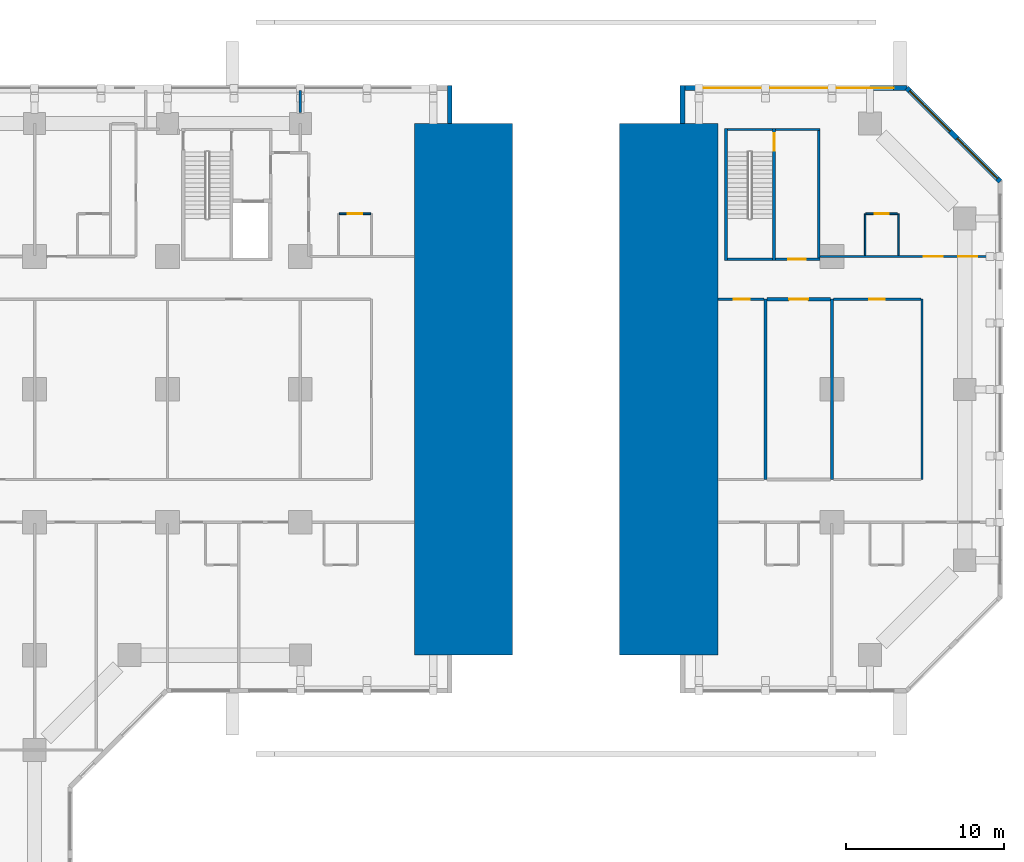
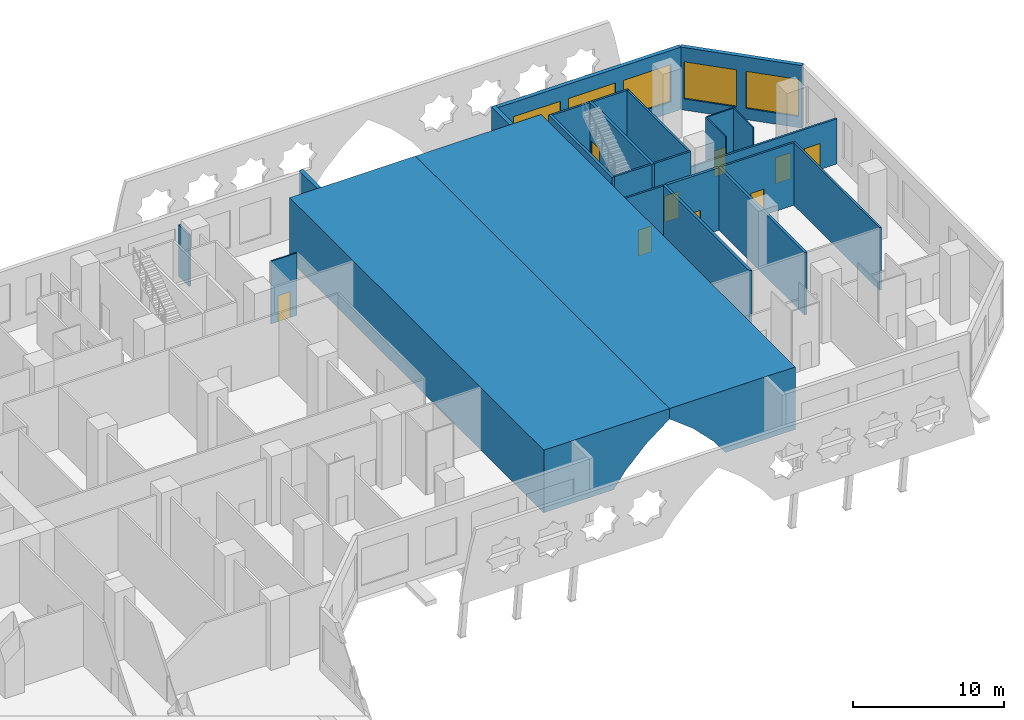
# One storey, part 13 of 24: 25 walls, 9 doors, 5 windows, 14 openings.
"""IFC4 building model written with IfcOpenShell, lengths in metres."""

from ifc_helpers import new_model, si_unit, direction, frame, frame_2d, origin, place, context, subcontext, project, spatial, polyline, rectangle, outline, extrude, material, layer, layer_set, type_object, element, fill, save


model = new_model("IFC4")

# Units and contexts
model_context = context("Model", 3, precision=1e-05, world=origin(), true_north=direction((0.0, 1.0)))
body_context = subcontext(model_context, "Body", "Model", "MODEL_VIEW")
ifc_project = project(units=[si_unit("LENGTHUNIT", "METRE"), si_unit("AREAUNIT", "SQUARE_METRE"), si_unit("VOLUMEUNIT", "CUBIC_METRE"), si_unit("PLANEANGLEUNIT", "RADIAN"), si_unit("MASSUNIT", "GRAM", prefix="KILO")], contexts=[model_context])

# Site, building, storey
site_placement = place(None, origin())
site = spatial("IfcSite", under=ifc_project, at=site_placement, CompositionType="ELEMENT")
building_placement = place(site_placement, origin())
building = spatial("IfcBuilding", under=site, at=building_placement, Name="Kawkab Arch Medical Tower", CompositionType="ELEMENT")
storey_placement = place(building_placement, frame((0.0, 0.0, 18.199951171875)))
storey = spatial("IfcBuildingStorey", under=building, at=storey_placement, Name="L04", CompositionType="ELEMENT", Elevation=18.199951171875)

# Walls
ifc_material_1 = material(Name="Concrete C60/75", Category="concrete")
wall_type_1 = type_object("IfcWallType", Name="Arch wall C60/75", PredefinedType="SHEAR", material=ifc_material_1)
placement = place(storey_placement, frame((0.0, 0.0, -18.199951171875), z_axis=(0.0, -1.0, 0.0), x_axis=(1.0, 0.0, 0.0)))
element("IfcWall", 1, at=placement, inside=storey, type_object=wall_type_1, Name="Arch wall L04-1", PredefinedType="SHEAR", context=body_context, shape_type="SweptSolid", body=[
    extrude(outline(polyline([(67.199951171875, 23.25), (67.199951171875, 22.39990234375), (65.406005859375, 21.02197265625), (63.823974609375, 19.406005859375), (62.9375, 18.199951171875), (57.60009765625, 18.199951171875), (57.60009765625, 23.25), (67.199951171875, 23.25)])), origin(), (0.0, 0.0, 1.0), 33.60009765625),
])
element("IfcWall", 2, at=placement, inside=storey, type_object=wall_type_1, Name="Arch wall L04-2", PredefinedType="SHEAR", context=body_context, shape_type="SweptSolid", body=[
    extrude(outline(polyline([(76.800048828125, 23.25), (76.800048828125, 18.199951171875), (71.46240234375, 18.199951171875), (70.575927734375, 19.406005859375), (68.993896484375, 21.02197265625), (67.199951171875, 22.39990234375), (67.199951171875, 23.25), (76.800048828125, 23.25)])), origin(), (0.0, 0.0, 1.0), 33.60009765625),
])
ifc_material_2 = material(Name="Gypsum board on steel studs", Category="steel")
ifc_layer_1 = layer(ifc_material_2, 0.14990234375)
ifc_layer_set_1 = layer_set([ifc_layer_1], Name="Gypsum board on steel studs")
wall_type_2 = type_object("IfcWallType", Name="Core room partition 150", PredefinedType="PARTITIONING", material=ifc_layer_set_1)
wall_3_placement = place(storey_placement, frame((80.449951171875, -0.375, 0.0), z_axis=(0.0, 0.0, 1.0), x_axis=(1.0, 0.0, 0.0)))
element("IfcWall", 3, at=wall_3_placement, inside=storey, type_object=wall_type_2, Name="L04 core room partition", PredefinedType="PARTITIONING", context=body_context, shape_type="SweptSolid", body=[
    extrude(rectangle(XDim=2.800048828125, YDim=0.14990234375, at=frame_2d((1.39990234375, 0.0))), origin(), (0.0, 0.0, 1.0), 5.050048828125),
])
wall_4_placement = place(storey_placement, frame((83.175048828125, -8.5, 0.0), z_axis=(0.0, 0.0, 1.0), x_axis=(0.0, 1.0, 0.0)))
element("IfcWall", 4, at=wall_4_placement, inside=storey, type_object=wall_type_2, Name="L04 core room partition", PredefinedType="PARTITIONING", context=body_context, shape_type="SweptSolid", body=[
    extrude(rectangle(XDim=8.050048828125, YDim=0.14990234375, at=frame_2d((4.02490234375, 0.0))), origin(), (0.0, 0.0, 1.0), 5.050048828125),
])

# Wall, opening, door
ifc_material_3 = material(Name="Gypsum board partition on steel studs", Category="steel")
ifc_layer_2 = layer(ifc_material_3, 0.10009765625)
ifc_layer_set_2 = layer_set([ifc_layer_2], Name="Gypsum board partition on steel studs")
wall_type_3 = type_object("IfcWallType", Name="Partition 100", PredefinedType="PARTITIONING", material=ifc_layer_set_2)
wall_5_placement = place(storey_placement, frame((52.87109375, -5.699951171875, 0.0), z_axis=(0.0, 0.0, 1.0), x_axis=(1.0, 0.0, 0.0)))
wall_5 = element("IfcWall", 5, at=wall_5_placement, inside=storey, type_object=wall_type_3, Name="Partition 100 w020", PredefinedType="PARTITIONING", context=body_context, shape_type="SweptSolid", body=[
    extrude(rectangle(XDim=1.976806640625, YDim=0.10009765625, at=frame_2d((0.98828125, 0.0))), origin(), (0.0, 0.0, 1.0), 5.050048828125),
])
opening_1_placement = place(wall_5_placement, frame((0.5380859375, 0.0, 0.0)))
opening_1 = element("IfcOpeningElement", 6, at=opening_1_placement, cuts=wall_5, Name="Opening P04-002", PredefinedType="OPENING", context=body_context, shape_type="SweptSolid", body=[
    extrude(rectangle(XDim=0.89990234375, YDim=2.10009765625, at=frame_2d((0.449951171875, 1.050048828125))), frame((0.0, 0.06005859375, 0.0), z_axis=(0.0, -1.0, 0.0), x_axis=(1.0, 0.0, 0.0)), (0.0, 0.0, 1.0), 0.1201171875),
])
ifc_material_4 = material(Name="Timber door leaf", Category="wood")
door_type_1 = type_object("IfcDoorType", Name="Single door 900x2100", OperationType="NOTDEFINED", PredefinedType="DOOR", material=ifc_material_4)
door_1_placement = place(opening_1_placement, origin())
door_1 = element("IfcDoor", 7, at=door_1_placement, inside=storey, type_object=door_type_1, Name="Door P04-002", OperationType="SINGLE_SWING_RIGHT", OverallHeight=2.10009765625, OverallWidth=0.89990234375, PredefinedType="DOOR", context=body_context, shape_type="SweptSolid", body=[
    extrude(rectangle(XDim=0.89990234375, YDim=2.10009765625, at=frame_2d((0.449951171875, 1.050048828125))), frame((0.0, 0.02490234375, 0.0), z_axis=(0.0, -1.0, 0.0), x_axis=(1.0, 0.0, 0.0)), (0.0, 0.0, 1.0), 0.050048828125),
])
fill(opening_1, door_1)

wall_6_placement = place(storey_placement, frame((86.152099609375, -5.699951171875, 0.0), z_axis=(0.0, 0.0, 1.0), x_axis=(1.0, 0.0, 0.0)))
wall_6 = element("IfcWall", 8, at=wall_6_placement, inside=storey, type_object=wall_type_3, Name="Partition 100 w021", PredefinedType="PARTITIONING", context=body_context, shape_type="SweptSolid", body=[
    extrude(rectangle(XDim=1.994873046875, YDim=0.10009765625, at=frame_2d((0.99755859375, 0.0))), origin(), (0.0, 0.0, 1.0), 5.050048828125),
])
opening_2_placement = place(wall_6_placement, frame((0.547119140625, 0.0, 0.0)))
opening_2 = element("IfcOpeningElement", 9, at=opening_2_placement, cuts=wall_6, Name="Opening P04-003", PredefinedType="OPENING", context=body_context, shape_type="SweptSolid", body=[
    extrude(rectangle(XDim=0.89990234375, YDim=2.10009765625, at=frame_2d((0.449951171875, 1.050048828125))), frame((0.0, 0.06005859375, 0.0), z_axis=(0.0, -1.0, 0.0), x_axis=(1.0, 0.0, 0.0)), (0.0, 0.0, 1.0), 0.1201171875),
])
door_2_placement = place(opening_2_placement, origin())
door_2 = element("IfcDoor", 10, at=door_2_placement, inside=storey, type_object=door_type_1, Name="Door P04-003", OperationType="SINGLE_SWING_LEFT", OverallHeight=2.10009765625, OverallWidth=0.89990234375, PredefinedType="DOOR", context=body_context, shape_type="SweptSolid", body=[
    extrude(rectangle(XDim=0.89990234375, YDim=2.10009765625, at=frame_2d((0.449951171875, 1.050048828125))), frame((0.0, 0.02490234375, 0.0), z_axis=(0.0, -1.0, 0.0), x_axis=(1.0, 0.0, 0.0)), (0.0, 0.0, 1.0), 0.050048828125),
])
fill(opening_2, door_2)

# Walls
wall_7_placement = place(storey_placement, frame((86.10009765625, -8.324951171875, 0.0), z_axis=(0.0, 0.0, 1.0), x_axis=(0.0, 1.0, 0.0)))
element("IfcWall", 11, at=wall_7_placement, inside=storey, type_object=wall_type_3, Name="Partition 100 w038", PredefinedType="PARTITIONING", context=body_context, shape_type="SweptSolid", body=[
    extrude(rectangle(XDim=2.6240234375, YDim=0.10009765625, at=frame_2d((1.31201171875, 0.0))), origin(), (0.0, 0.0, 1.0), 5.050048828125),
])
wall_8_placement = place(storey_placement, frame((88.199951171875, -8.324951171875, 0.0), z_axis=(0.0, 0.0, 1.0), x_axis=(0.0, 1.0, 0.0)))
element("IfcWall", 12, at=wall_8_placement, inside=storey, type_object=wall_type_3, Name="Partition 100 w040", PredefinedType="PARTITIONING", context=body_context, shape_type="SweptSolid", body=[
    extrude(rectangle(XDim=2.6220703125, YDim=0.10009765625, at=frame_2d((1.31103515625, 0.0))), origin(), (0.0, 0.0, 1.0), 5.050048828125),
])

# Wall, opening, door
ifc_material_5 = material(Name="Gypsum board partition on steel studs, mineral wool", Category="steel")
ifc_layer_3 = layer(ifc_material_5, 0.14990234375)
ifc_layer_set_3 = layer_set([ifc_layer_3], Name="Gypsum board partition on steel studs, mineral wool")
wall_type_4 = type_object("IfcWallType", Name="Partition 150", PredefinedType="PARTITIONING", material=ifc_layer_set_3)
wall_9_placement = place(storey_placement, frame((76.800048828125, -11.10009765625, 0.0), z_axis=(0.0, 0.0, 1.0), x_axis=(1.0, 0.0, 0.0)))
wall_9 = element("IfcWall", 13, at=wall_9_placement, inside=storey, type_object=wall_type_4, Name="Partition 150 w078", PredefinedType="PARTITIONING", context=body_context, shape_type="SweptSolid", body=[
    extrude(rectangle(XDim=2.89990234375, YDim=0.14990234375, at=frame_2d((1.449951171875, 0.0))), origin(), (0.0, 0.0, 1.0), 5.050048828125),
])
opening_3_placement = place(wall_9_placement, frame((1.0, 0.0, 0.0)))
opening_3 = element("IfcOpeningElement", 14, at=opening_3_placement, cuts=wall_9, Name="Opening P04-025", PredefinedType="OPENING", context=body_context, shape_type="SweptSolid", body=[
    extrude(rectangle(XDim=1.0, YDim=2.10009765625, at=frame_2d((0.5, 1.050048828125))), frame((0.0, 0.0849609375, 0.0), z_axis=(0.0, -1.0, 0.0), x_axis=(1.0, 0.0, 0.0)), (0.0, 0.0, 1.0), 0.169921875),
])
ifc_material_6 = material(Name="Hollow metal door leaf")
door_type_2 = type_object("IfcDoorType", Name="Single door 1000x2100 FD30S", OperationType="NOTDEFINED", PredefinedType="DOOR", material=ifc_material_6)
door_3_placement = place(opening_3_placement, origin())
door_3 = element("IfcDoor", 15, at=door_3_placement, inside=storey, type_object=door_type_2, Name="Door P04-025", OperationType="SINGLE_SWING_RIGHT", OverallHeight=2.10009765625, OverallWidth=1.0, PredefinedType="DOOR", context=body_context, shape_type="SweptSolid", body=[
    extrude(rectangle(XDim=1.0, YDim=2.10009765625, at=frame_2d((0.5, 1.050048828125))), frame((0.0, 0.02490234375, 0.0), z_axis=(0.0, -1.0, 0.0), x_axis=(1.0, 0.0, 0.0)), (0.0, 0.0, 1.0), 0.050048828125),
])
fill(opening_3, door_3)

wall_10_placement = place(storey_placement, frame((84.10009765625, -11.10009765625, 0.0), z_axis=(0.0, 0.0, 1.0), x_axis=(1.0, 0.0, 0.0)))
wall_10 = element("IfcWall", 16, at=wall_10_placement, inside=storey, type_object=wall_type_4, Name="Partition 150 w079", PredefinedType="PARTITIONING", context=body_context, shape_type="SweptSolid", body=[
    extrude(rectangle(XDim=5.52490234375, YDim=0.14990234375, at=frame_2d((2.762451171875, 0.0))), origin(), (0.0, 0.0, 1.0), 5.050048828125),
])
opening_4_placement = place(wall_10_placement, frame((2.25, 0.0, 0.0)))
opening_4 = element("IfcOpeningElement", 17, at=opening_4_placement, cuts=wall_10, Name="Opening P04-026", PredefinedType="OPENING", context=body_context, shape_type="SweptSolid", body=[
    extrude(rectangle(XDim=1.0, YDim=2.10009765625, at=frame_2d((0.5, 1.050048828125))), frame((0.0, 0.0849609375, 0.0), z_axis=(0.0, -1.0, 0.0), x_axis=(1.0, 0.0, 0.0)), (0.0, 0.0, 1.0), 0.169921875),
])
door_4_placement = place(opening_4_placement, origin())
door_4 = element("IfcDoor", 18, at=door_4_placement, inside=storey, type_object=door_type_2, Name="Door P04-026", OperationType="SINGLE_SWING_RIGHT", OverallHeight=2.10009765625, OverallWidth=1.0, PredefinedType="DOOR", context=body_context, shape_type="SweptSolid", body=[
    extrude(rectangle(XDim=1.0, YDim=2.10009765625, at=frame_2d((0.5, 1.050048828125))), frame((0.0, 0.02490234375, 0.0), z_axis=(0.0, -1.0, 0.0), x_axis=(1.0, 0.0, 0.0)), (0.0, 0.0, 1.0), 0.050048828125),
])
fill(opening_4, door_4)

# Wall, openings, doors
wall_11_placement = place(storey_placement, frame((83.25, -8.39990234375, 0.0), z_axis=(0.0, 0.0, 1.0), x_axis=(1.0, 0.0, 0.0)))
wall_11 = element("IfcWall", 19, at=wall_11_placement, inside=storey, type_object=wall_type_4, Name="Partition 150 w082", PredefinedType="PARTITIONING", context=body_context, shape_type="SweptSolid", body=[
    extrude(rectangle(XDim=11.22998046875, YDim=0.14990234375, at=frame_2d((5.614990234375, 0.0))), origin(), (0.0, 0.0, 1.0), 3.650146484375),
])
opening_5_placement = place(wall_11_placement, frame((6.550048828125, 0.0, 0.0)))
opening_5 = element("IfcOpeningElement", 20, at=opening_5_placement, cuts=wall_11, Name="Opening P04-043", PredefinedType="OPENING", context=body_context, shape_type="SweptSolid", body=[
    extrude(rectangle(XDim=1.199951171875, YDim=2.10009765625, at=frame_2d((0.60009765625, 1.050048828125))), frame((0.0, 0.0849609375, 0.0), z_axis=(0.0, -1.0, 0.0), x_axis=(1.0, 0.0, 0.0)), (0.0, 0.0, 1.0), 0.169921875),
])
opening_6_placement = place(wall_11_placement, frame((8.75, 0.0, 0.0)))
opening_6 = element("IfcOpeningElement", 21, at=opening_6_placement, cuts=wall_11, Name="Opening P04-044", PredefinedType="OPENING", context=body_context, shape_type="SweptSolid", body=[
    extrude(rectangle(XDim=1.199951171875, YDim=2.10009765625, at=frame_2d((0.60009765625, 1.050048828125))), frame((0.0, 0.0849609375, 0.0), z_axis=(0.0, -1.0, 0.0), x_axis=(1.0, 0.0, 0.0)), (0.0, 0.0, 1.0), 0.169921875),
])
ifc_material_7 = material(Name="Hollow metal door leaf")
door_type_3 = type_object("IfcDoorType", Name="Single door 1200x2100 FD30S", OperationType="NOTDEFINED", PredefinedType="DOOR", material=ifc_material_7)
door_5_placement = place(opening_5_placement, origin())
door_5 = element("IfcDoor", 22, at=door_5_placement, inside=storey, type_object=door_type_3, Name="Door P04-043", OperationType="SINGLE_SWING_RIGHT", OverallHeight=2.10009765625, OverallWidth=1.199951171875, PredefinedType="DOOR", context=body_context, shape_type="SweptSolid", body=[
    extrude(rectangle(XDim=1.199951171875, YDim=2.10009765625, at=frame_2d((0.60009765625, 1.050048828125))), frame((0.0, 0.02490234375, 0.0), z_axis=(0.0, -1.0, 0.0), x_axis=(1.0, 0.0, 0.0)), (0.0, 0.0, 1.0), 0.050048828125),
])
fill(opening_5, door_5)
door_6_placement = place(opening_6_placement, origin())
door_6 = element("IfcDoor", 23, at=door_6_placement, inside=storey, type_object=door_type_3, Name="Door P04-044", OperationType="SINGLE_SWING_RIGHT", OverallHeight=2.10009765625, OverallWidth=1.199951171875, PredefinedType="DOOR", context=body_context, shape_type="SweptSolid", body=[
    extrude(rectangle(XDim=1.199951171875, YDim=2.10009765625, at=frame_2d((0.60009765625, 1.050048828125))), frame((0.0, 0.02490234375, 0.0), z_axis=(0.0, -1.0, 0.0), x_axis=(1.0, 0.0, 0.0)), (0.0, 0.0, 1.0), 0.050048828125),
])
fill(opening_6, door_6)

# Walls
wall_12_placement = place(storey_placement, frame((50.39990234375, 0.699951171875, 0.0), z_axis=(0.0, 0.0, 1.0), x_axis=(0.0, 1.0, 0.0)))
element("IfcWall", 24, at=wall_12_placement, inside=storey, type_object=wall_type_4, Name="Partition 150 w117", PredefinedType="PARTITIONING", context=body_context, shape_type="SweptSolid", body=[
    extrude(rectangle(XDim=1.380126953125, YDim=0.14990234375, at=frame_2d((0.68994140625, 0.0))), origin(), (0.0, 0.0, 1.0), 4.150146484375),
])
wall_13_placement = place(storey_placement, frame((89.699951171875, -22.5, 0.0), z_axis=(0.0, 0.0, 1.0), x_axis=(0.0, 1.0, 0.0)))
element("IfcWall", 25, at=wall_13_placement, inside=storey, type_object=wall_type_4, Name="Partition 150 w121", PredefinedType="PARTITIONING", context=body_context, shape_type="SweptSolid", body=[
    extrude(rectangle(XDim=11.39990234375, YDim=0.14990234375, at=frame_2d((5.699951171875, 0.0))), origin(), (0.0, 0.0, 1.0), 5.050048828125),
])
ifc_material_8 = material(Name="Bronze clad insulated wall panel")
ifc_layer_4 = layer(ifc_material_8, 0.300048828125)
ifc_layer_set_4 = layer_set([ifc_layer_4], Name="Bronze clad insulated wall panel")
wall_type_5 = type_object("IfcWallType", Name="Podium external wall 300", PredefinedType="SOLIDWALL", material=ifc_layer_set_4)
wall_14_placement = place(storey_placement, frame((59.85009765625, 0.0, 0.0), z_axis=(0.0, 0.0, 1.0), x_axis=(0.0, 1.0, 0.0)))
element("IfcWall", 26, at=wall_14_placement, inside=storey, type_object=wall_type_5, Name="Podium slot-side wall L04 R04.2", PredefinedType="SOLIDWALL", context=body_context, shape_type="SweptSolid", body=[
    extrude(rectangle(XDim=2.39990234375, YDim=0.300048828125, at=frame_2d((1.199951171875, 0.0))), origin(), (0.0, 0.0, 1.0), 5.050048828125),
])

# Wall, openings, windows
wall_15_placement = place(storey_placement, frame((94.64990234375, -3.662109375, 0.0), z_axis=(0.0, 0.0, 1.0), x_axis=(-0.707106781187, 0.707106781187, 0.0)))
wall_15 = element("IfcWall", 27, at=wall_15_placement, inside=storey, type_object=wall_type_5, Name="Podium external wall L04 R12", PredefinedType="SOLIDWALL", context=body_context, shape_type="SweptSolid", body=[
    extrude(rectangle(XDim=8.361083984375, YDim=0.300048828125, at=frame_2d((4.1806640625, 0.0))), origin(), (0.0, 0.0, 1.0), 5.050048828125),
])
opening_7_placement = place(wall_15_placement, frame((0.259033203125, 0.0, 0.89990234375)))
opening_7 = element("IfcOpeningElement", 28, at=opening_7_placement, cuts=wall_15, Name="Opening PBW360-30-S9", PredefinedType="OPENING", context=body_context, shape_type="SweptSolid", body=[
    extrude(rectangle(XDim=3.60009765625, YDim=3.0, at=frame_2d((1.800048828125, 1.5))), frame((0.0, 0.159912109375, 0.0), z_axis=(0.0, -1.0, 0.0), x_axis=(1.0, 0.0, 0.0)), (0.0, 0.0, 1.0), 0.320068359375),
])
opening_8_placement = place(wall_15_placement, frame((4.501708984375, 0.0, 0.89990234375)))
opening_8 = element("IfcOpeningElement", 29, at=opening_8_placement, cuts=wall_15, Name="Opening PBW360-30-S9", PredefinedType="OPENING", context=body_context, shape_type="SweptSolid", body=[
    extrude(rectangle(XDim=3.60009765625, YDim=3.0, at=frame_2d((1.800048828125, 1.5))), frame((0.0, 0.159912109375, 0.0), z_axis=(0.0, -1.0, 0.0), x_axis=(1.0, 0.0, 0.0)), (0.0, 0.0, 1.0), 0.320068359375),
])
ifc_material_9 = material(Name="Bronze anodised aluminium louvred window", Category="aluminium")
window_type = type_object("IfcWindowType", Name="Podium band window 3600 x 3000 sill 900", PartitioningType="DOUBLE_PANEL_VERTICAL", PredefinedType="WINDOW", material=ifc_material_9)
window_1_placement = place(opening_7_placement, origin())
window_1 = element("IfcWindow", 30, at=window_1_placement, inside=storey, type_object=window_type, Name="Band window L04 R12.1", OverallHeight=3.0, OverallWidth=3.60009765625, PartitioningType="SINGLE_PANEL", PredefinedType="WINDOW", context=body_context, shape_type="SweptSolid", body=[
    extrude(rectangle(XDim=3.60009765625, YDim=3.0, at=frame_2d((1.800048828125, 1.5))), frame((0.0, 0.030029296875, 0.0), z_axis=(0.0, -1.0, 0.0), x_axis=(1.0, 0.0, 0.0)), (0.0, 0.0, 1.0), 0.06005859375),
])
fill(opening_7, window_1)
window_2_placement = place(opening_8_placement, origin())
window_2 = element("IfcWindow", 31, at=window_2_placement, inside=storey, type_object=window_type, Name="Band window L04 R12.2", OverallHeight=3.0, OverallWidth=3.60009765625, PartitioningType="SINGLE_PANEL", PredefinedType="WINDOW", context=body_context, shape_type="SweptSolid", body=[
    extrude(rectangle(XDim=3.60009765625, YDim=3.0, at=frame_2d((1.800048828125, 1.5))), frame((0.0, 0.030029296875, 0.0), z_axis=(0.0, -1.0, 0.0), x_axis=(1.0, 0.0, 0.0)), (0.0, 0.0, 1.0), 0.06005859375),
])
fill(opening_8, window_2)

wall_16_placement = place(storey_placement, frame((88.73779296875, 2.25, 0.0), z_axis=(0.0, 0.0, 1.0), x_axis=(-1.0, 0.0, 0.0)))
wall_16 = element("IfcWall", 32, at=wall_16_placement, inside=storey, type_object=wall_type_5, Name="Podium external wall L04 R13", PredefinedType="SOLIDWALL", context=body_context, shape_type="SweptSolid", body=[
    extrude(rectangle(XDim=14.187744140625, YDim=0.300048828125, at=frame_2d((7.09375, 0.0))), origin(), (0.0, 0.0, 1.0), 5.050048828125),
])
opening_9_placement = place(wall_16_placement, frame((0.837890625, 0.0, 0.89990234375)))
opening_9 = element("IfcOpeningElement", 33, at=opening_9_placement, cuts=wall_16, Name="Opening PBW360-30-S9", PredefinedType="OPENING", context=body_context, shape_type="SweptSolid", body=[
    extrude(rectangle(XDim=3.60009765625, YDim=3.0, at=frame_2d((1.800048828125, 1.5))), frame((0.0, 0.159912109375, 0.0), z_axis=(0.0, -1.0, 0.0), x_axis=(1.0, 0.0, 0.0)), (0.0, 0.0, 1.0), 0.320068359375),
])
opening_10_placement = place(wall_16_placement, frame((5.037841796875, 0.0, 0.89990234375)))
opening_10 = element("IfcOpeningElement", 34, at=opening_10_placement, cuts=wall_16, Name="Opening PBW360-30-S9", PredefinedType="OPENING", context=body_context, shape_type="SweptSolid", body=[
    extrude(rectangle(XDim=3.60009765625, YDim=3.0, at=frame_2d((1.800048828125, 1.5))), frame((0.0, 0.159912109375, 0.0), z_axis=(0.0, -1.0, 0.0), x_axis=(1.0, 0.0, 0.0)), (0.0, 0.0, 1.0), 0.320068359375),
])
opening_11_placement = place(wall_16_placement, frame((9.23779296875, 0.0, 0.89990234375)))
opening_11 = element("IfcOpeningElement", 35, at=opening_11_placement, cuts=wall_16, Name="Opening PBW360-30-S9", PredefinedType="OPENING", context=body_context, shape_type="SweptSolid", body=[
    extrude(rectangle(XDim=3.60009765625, YDim=3.0, at=frame_2d((1.800048828125, 1.5))), frame((0.0, 0.159912109375, 0.0), z_axis=(0.0, -1.0, 0.0), x_axis=(1.0, 0.0, 0.0)), (0.0, 0.0, 1.0), 0.320068359375),
])
window_3_placement = place(opening_9_placement, origin())
window_3 = element("IfcWindow", 36, at=window_3_placement, inside=storey, type_object=window_type, Name="Band window L04 R13.1", OverallHeight=3.0, OverallWidth=3.60009765625, PartitioningType="SINGLE_PANEL", PredefinedType="WINDOW", context=body_context, shape_type="SweptSolid", body=[
    extrude(rectangle(XDim=3.60009765625, YDim=3.0, at=frame_2d((1.800048828125, 1.5))), frame((0.0, 0.030029296875, 0.0), z_axis=(0.0, -1.0, 0.0), x_axis=(1.0, 0.0, 0.0)), (0.0, 0.0, 1.0), 0.06005859375),
])
fill(opening_9, window_3)
window_4_placement = place(opening_10_placement, origin())
window_4 = element("IfcWindow", 37, at=window_4_placement, inside=storey, type_object=window_type, Name="Band window L04 R13.2", OverallHeight=3.0, OverallWidth=3.60009765625, PartitioningType="SINGLE_PANEL", PredefinedType="WINDOW", context=body_context, shape_type="SweptSolid", body=[
    extrude(rectangle(XDim=3.60009765625, YDim=3.0, at=frame_2d((1.800048828125, 1.5))), frame((0.0, 0.030029296875, 0.0), z_axis=(0.0, -1.0, 0.0), x_axis=(1.0, 0.0, 0.0)), (0.0, 0.0, 1.0), 0.06005859375),
])
fill(opening_10, window_4)
window_5_placement = place(opening_11_placement, origin())
window_5 = element("IfcWindow", 38, at=window_5_placement, inside=storey, type_object=window_type, Name="Band window L04 R13.3", OverallHeight=3.0, OverallWidth=3.60009765625, PartitioningType="SINGLE_PANEL", PredefinedType="WINDOW", context=body_context, shape_type="SweptSolid", body=[
    extrude(rectangle(XDim=3.60009765625, YDim=3.0, at=frame_2d((1.800048828125, 1.5))), frame((0.0, 0.030029296875, 0.0), z_axis=(0.0, -1.0, 0.0), x_axis=(1.0, 0.0, 0.0)), (0.0, 0.0, 1.0), 0.06005859375),
])
fill(opening_11, window_5)

# Wall
wall_17_placement = place(storey_placement, frame((74.550048828125, 2.39990234375, 0.0), z_axis=(0.0, 0.0, 1.0), x_axis=(0.0, -1.0, 0.0)))
element("IfcWall", 39, at=wall_17_placement, inside=storey, type_object=wall_type_5, Name="Podium slot-side wall L04 R14.2", PredefinedType="SOLIDWALL", context=body_context, shape_type="SweptSolid", body=[
    extrude(rectangle(XDim=2.39990234375, YDim=0.300048828125, at=frame_2d((1.199951171875, 0.0))), origin(), (0.0, 0.0, 1.0), 5.050048828125),
])

# Wall, opening, door
ifc_material_10 = material(Name="Fire-rated gypsum board partition on steel studs", Category="steel")
ifc_layer_5 = layer(ifc_material_10, 0.199951171875)
ifc_layer_set_5 = layer_set([ifc_layer_5], Name="Fire-rated gypsum board partition on steel studs")
wall_type_6 = type_object("IfcWallType", Name="Protected partition 200", PredefinedType="PARTITIONING", material=ifc_layer_set_5)
wall_18_placement = place(storey_placement, frame((79.89990234375, -11.10009765625, 0.0), z_axis=(0.0, 0.0, 1.0), x_axis=(1.0, 0.0, 0.0)))
wall_18 = element("IfcWall", 40, at=wall_18_placement, inside=storey, type_object=wall_type_6, Name="Protected partition 200 w123", PredefinedType="PARTITIONING", context=body_context, shape_type="SweptSolid", body=[
    extrude(rectangle(XDim=4.0, YDim=0.199951171875, at=frame_2d((2.0, 0.0))), origin(), (0.0, 0.0, 1.0), 5.050048828125),
])
opening_12_placement = place(wall_18_placement, frame((1.39990234375, 0.0, 0.0)))
opening_12 = element("IfcOpeningElement", 41, at=opening_12_placement, cuts=wall_18, Name="Opening P04-070", PredefinedType="OPENING", context=body_context, shape_type="SweptSolid", body=[
    extrude(rectangle(XDim=1.199951171875, YDim=2.10009765625, at=frame_2d((0.60009765625, 1.050048828125))), frame((0.0, 0.10986328125, 0.0), z_axis=(0.0, -1.0, 0.0), x_axis=(1.0, 0.0, 0.0)), (0.0, 0.0, 1.0), 0.219970703125),
])
ifc_material_11 = material(Name="Hollow metal door leaf")
door_type_4 = type_object("IfcDoorType", Name="Single door 1200x2100 FD60", OperationType="NOTDEFINED", PredefinedType="DOOR", material=ifc_material_11)
door_7_placement = place(opening_12_placement, origin())
door_7 = element("IfcDoor", 42, at=door_7_placement, inside=storey, type_object=door_type_4, Name="Door P04-070", OperationType="SINGLE_SWING_LEFT", OverallHeight=2.10009765625, OverallWidth=1.199951171875, PredefinedType="DOOR", context=body_context, shape_type="SweptSolid", body=[
    extrude(rectangle(XDim=1.199951171875, YDim=2.10009765625, at=frame_2d((0.60009765625, 1.050048828125))), frame((0.0, 0.02490234375, 0.0), z_axis=(0.0, -1.0, 0.0), x_axis=(1.0, 0.0, 0.0)), (0.0, 0.0, 1.0), 0.050048828125),
])
fill(opening_12, door_7)

# Walls
for number, where, z_axis, x_axis, name in (
    (43, (79.800048828125, -22.5, 0.0), (0.0, 0.0, 1.0), (0.0, 1.0, 0.0), "Protected partition 200 w124"),
    (44, (84.0, -22.5, 0.0), (0.0, 0.0, 1.0), (0.0, 1.0, 0.0), "Protected partition 200 w125"),
):
    element("IfcWall", number, at=place(storey_placement, frame(where, z_axis=z_axis, x_axis=x_axis)), inside=storey, type_object=wall_type_6, Name=name, PredefinedType="PARTITIONING", context=body_context, shape_type="SweptSolid", body=[
        extrude(rectangle(XDim=11.39990234375, YDim=0.199951171875, at=frame_2d((5.699951171875, 0.0))), origin(), (0.0, 0.0, 1.0), 5.050048828125),
    ])
ifc_material_12 = material(Name="Concrete C50/60", Category="concrete")
ifc_layer_6 = layer(ifc_material_12, 0.14990234375)
ifc_layer_set_6 = layer_set([ifc_layer_6], Name="Concrete C50/60")
wall_type_7 = type_object("IfcWallType", Name="Stair enclosure wall 150 C50/60", PredefinedType="SHEAR", material=ifc_layer_set_6)
for number, where, z_axis, x_axis, name in (
    (45, (77.39990234375, -0.375, 0.0), (0.0, 0.0, 1.0), (1.0, 0.0, 0.0), "L04 stair enclosure wall"),
    (46, (77.39990234375, -8.574951171875, 0.0), (0.0, 0.0, 1.0), (1.0, 0.0, 0.0), "L04 stair enclosure wall"),
):
    element("IfcWall", number, at=place(storey_placement, frame(where, z_axis=z_axis, x_axis=x_axis)), inside=storey, type_object=wall_type_7, Name=name, PredefinedType="SHEAR", context=body_context, shape_type="SweptSolid", body=[
        extrude(rectangle(XDim=2.85009765625, YDim=0.14990234375, at=frame_2d((1.425048828125, 0.0))), origin(), (0.0, 0.0, 1.0), 5.050048828125),
    ])

# Wall, opening, door
wall_19_placement = place(storey_placement, frame((80.449951171875, -8.574951171875, 0.0), z_axis=(0.0, 0.0, 1.0), x_axis=(1.0, 0.0, 0.0)))
wall_19 = element("IfcWall", 47, at=wall_19_placement, inside=storey, type_object=wall_type_7, Name="L04 stair enclosure wall", PredefinedType="SHEAR", context=body_context, shape_type="SweptSolid", body=[
    extrude(rectangle(XDim=2.800048828125, YDim=0.14990234375, at=frame_2d((1.39990234375, 0.0))), origin(), (0.0, 0.0, 1.0), 5.050048828125),
])
opening_13_placement = place(wall_19_placement, frame((0.800048828125, 0.0, 0.0)))
opening_13 = element("IfcOpeningElement", 48, at=opening_13_placement, cuts=wall_19, Name="Opening SD", PredefinedType="OPENING", context=body_context, shape_type="SweptSolid", body=[
    extrude(rectangle(XDim=1.10009765625, YDim=2.10009765625, at=frame_2d((0.550048828125, 1.050048828125))), frame((0.0, 0.0849609375, 0.0), z_axis=(0.0, -1.0, 0.0), x_axis=(1.0, 0.0, 0.0)), (0.0, 0.0, 1.0), 0.169921875),
])
ifc_material_13 = material(Name="Hollow metal fire door leaf")
door_type_5 = type_object("IfcDoorType", Name="Exit stair door 1100", OperationType="SINGLE_SWING_LEFT", PredefinedType="DOOR", material=ifc_material_13)
door_8_placement = place(opening_13_placement, origin())
door_8 = element("IfcDoor", 49, at=door_8_placement, inside=storey, type_object=door_type_5, Name="L04 Exit stair ST7 lobby door", OperationType="SINGLE_SWING_LEFT", OverallHeight=2.10009765625, OverallWidth=1.10009765625, PredefinedType="DOOR", context=body_context, shape_type="SweptSolid", body=[
    extrude(rectangle(XDim=1.10009765625, YDim=2.10009765625, at=frame_2d((0.550048828125, 1.050048828125))), frame((0.0, 0.02490234375, 0.0), z_axis=(0.0, -1.0, 0.0), x_axis=(1.0, 0.0, 0.0)), (0.0, 0.0, 1.0), 0.050048828125),
])
fill(opening_13, door_8)

# Wall
ifc_material_14 = material(Name="Concrete C50/60", Category="concrete")
ifc_layer_7 = layer(ifc_material_14, 0.199951171875)
ifc_layer_set_7 = layer_set([ifc_layer_7], Name="Concrete C50/60")
wall_type_8 = type_object("IfcWallType", Name="Stair enclosure wall 200 C50/60", PredefinedType="SHEAR", material=ifc_layer_set_7)
wall_20_placement = place(storey_placement, frame((77.300048828125, -8.64990234375, 0.0), z_axis=(0.0, 0.0, 1.0), x_axis=(0.0, 1.0, 0.0)))
element("IfcWall", 50, at=wall_20_placement, inside=storey, type_object=wall_type_8, Name="L04 stair enclosure wall", PredefinedType="SHEAR", context=body_context, shape_type="SweptSolid", body=[
    extrude(rectangle(XDim=8.349853515625, YDim=0.199951171875, at=frame_2d((4.1748046875, 0.0))), origin(), (0.0, 0.0, 1.0), 5.050048828125),
])

# Wall, opening, door
wall_21_placement = place(storey_placement, frame((80.35009765625, -8.64990234375, 0.0), z_axis=(0.0, 0.0, 1.0), x_axis=(0.0, 1.0, 0.0)))
wall_21 = element("IfcWall", 51, at=wall_21_placement, inside=storey, type_object=wall_type_8, Name="L04 stair enclosure wall", PredefinedType="SHEAR", context=body_context, shape_type="SweptSolid", body=[
    extrude(rectangle(XDim=8.349853515625, YDim=0.199951171875, at=frame_2d((4.1748046875, 0.0))), origin(), (0.0, 0.0, 1.0), 5.050048828125),
])
opening_14_placement = place(wall_21_placement, frame((6.949951171875, 0.0, 0.0)))
opening_14 = element("IfcOpeningElement", 52, at=opening_14_placement, cuts=wall_21, Name="Opening SD", PredefinedType="OPENING", context=body_context, shape_type="SweptSolid", body=[
    extrude(rectangle(XDim=1.10009765625, YDim=2.10009765625, at=frame_2d((0.550048828125, 1.050048828125))), frame((0.0, 0.10986328125, 0.0), z_axis=(0.0, -1.0, 0.0), x_axis=(1.0, 0.0, 0.0)), (0.0, 0.0, 1.0), 0.219970703125),
])
door_9_placement = place(opening_14_placement, origin())
door_9 = element("IfcDoor", 53, at=door_9_placement, inside=storey, type_object=door_type_5, Name="L04 Exit stair ST7 door", OperationType="SINGLE_SWING_LEFT", OverallHeight=2.10009765625, OverallWidth=1.10009765625, PredefinedType="DOOR", context=body_context, shape_type="SweptSolid", body=[
    extrude(rectangle(XDim=1.10009765625, YDim=2.10009765625, at=frame_2d((0.550048828125, 1.050048828125))), frame((0.0, 0.02490234375, 0.0), z_axis=(0.0, -1.0, 0.0), x_axis=(1.0, 0.0, 0.0)), (0.0, 0.0, 1.0), 0.050048828125),
])
fill(opening_14, door_9)

save(model, "model.ifc")
